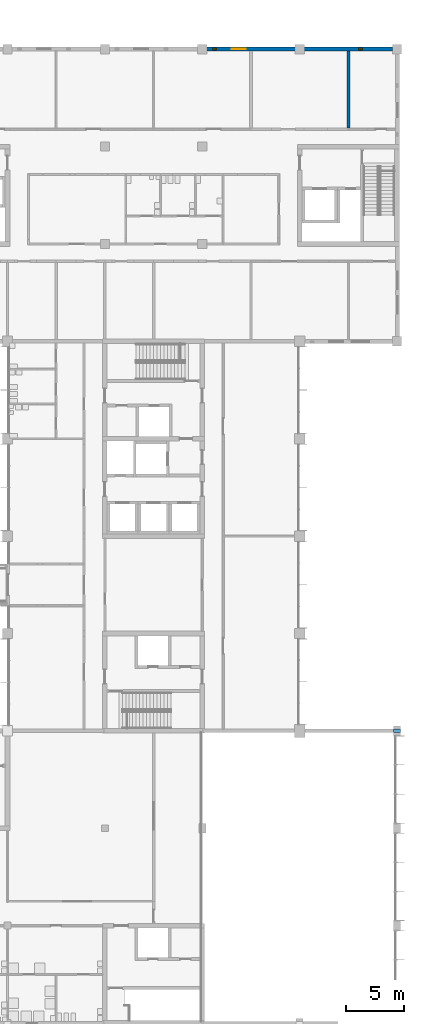
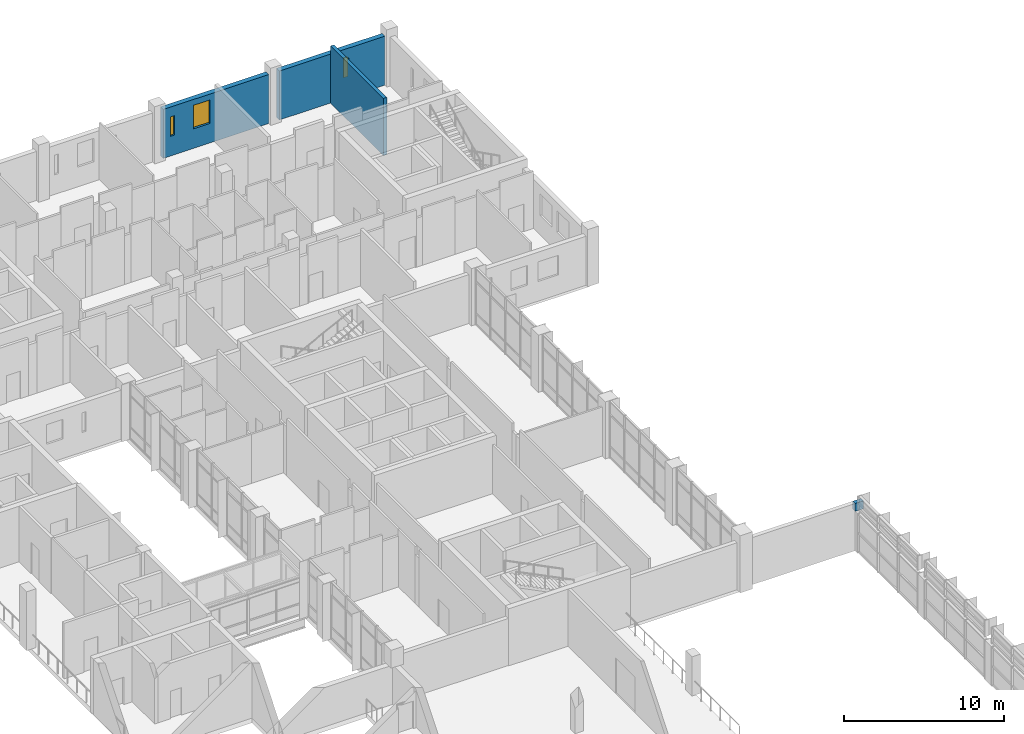
# One storey, part 49 of 70: 4 walls, 3 windows, 3 openings.
"""IFC4 building model written with IfcOpenShell, lengths in metres."""

from ifc_helpers import new_model, si_unit, direction, frame, frame_2d, origin, place, context, subcontext, project, spatial, polyline, rectangle, outline, extrude, material, layer, layer_set, type_object, element, fill, save


model = new_model("IFC4")

# Units and contexts
model_context = context("Model", 3, precision=1e-05, world=origin(), true_north=direction((0.0, 1.0)))
body_context = subcontext(model_context, "Body", "Model", "MODEL_VIEW")
ifc_project = project(units=[si_unit("LENGTHUNIT", "METRE"), si_unit("AREAUNIT", "SQUARE_METRE"), si_unit("VOLUMEUNIT", "CUBIC_METRE"), si_unit("PLANEANGLEUNIT", "RADIAN"), si_unit("MASSUNIT", "GRAM", prefix="KILO")], contexts=[model_context])

# Site, building, storey
site_placement = place(None, origin())
site = spatial("IfcSite", under=ifc_project, at=site_placement, CompositionType="ELEMENT")
building_placement = place(site_placement, origin())
building = spatial("IfcBuilding", under=site, at=building_placement, Name="Hlaing Beacon Police Headquarters", CompositionType="ELEMENT")
storey_placement = place(building_placement, frame((0.0, 0.0, 5.39990234375)))
storey = spatial("IfcBuildingStorey", under=building, at=storey_placement, Name="L01", CompositionType="ELEMENT", Elevation=5.39990234375)

# Walls
ifc_material_1 = material(Name="Concrete blockwork 7.5 N/mm2", Category="masonry")
ifc_layer_1 = layer(ifc_material_1, 0.25)
ifc_layer_set_1 = layer_set([ifc_layer_1], Name="Concrete blockwork 7.5 N/mm2")
wall_type_1 = type_object("IfcWallType", Name="Plant room wall EI 120 250", PredefinedType="PARTITIONING", material=ifc_layer_set_1)
wall_1_placement = place(storey_placement, frame((130.199951171875, 85.625, 0.0), z_axis=(0.0, 0.0, 1.0), x_axis=(0.0, 1.0, 0.0)))
element("IfcWall", 1, at=wall_1_placement, inside=storey, type_object=wall_type_1, Name="Plant room wall EI 120 250", PredefinedType="PARTITIONING", context=body_context, shape_type="SweptSolid", body=[
    extrude(rectangle(XDim=6.625, YDim=0.25, at=frame_2d((3.3125, 0.0))), origin(), (0.0, 0.0, 1.0), 4.3701171875),
])
ifc_material_2 = material(Name="Concrete C40/50 precast ribbed cladding", Category="concrete")
ifc_layer_2 = layer(ifc_material_2, 0.300048828125)
ifc_layer_set_2 = layer_set([ifc_layer_2], Name="Concrete C40/50 precast ribbed cladding")
wall_type_2 = type_object("IfcWallType", Name="Precast ribbed wall 300", PredefinedType="SOLIDWALL", material=ifc_layer_set_2)
wall_2_placement = place(storey_placement, frame((134.699951171875, 33.60009765625, 3.0), z_axis=(0.0, 0.0, 1.0), x_axis=(-1.0, 0.0, 0.0)))
element("IfcWall", 2, at=wall_2_placement, inside=storey, type_object=wall_type_2, Name="Wall over column L01 N006", PredefinedType="SOLIDWALL", context=body_context, shape_type="SweptSolid", body=[
    extrude(outline(polyline([(0.0, 0.0), (0.599853515625, 0.0), (0.60009765625, 0.60009765625), (0.0, 0.60009765625), (0.0, 0.0)])), frame((0.0, 0.14990234375, 0.0), z_axis=(0.0, -1.0, 0.0), x_axis=(1.0, 0.0, 0.0)), (0.0, 0.0, 1.0), 0.300048828125),
])

# Wall, opening, window
ifc_material_3 = material(Name="Concrete C40/50 precast with security mesh", Category="concrete")
ifc_layer_3 = layer(ifc_material_3, 0.35009765625)
ifc_layer_set_3 = layer_set([ifc_layer_3], Name="Concrete C40/50 precast with security mesh")
wall_type_3 = type_object("IfcWallType", Name="Precast security wall 350", PredefinedType="SOLIDWALL", material=ifc_layer_set_3)
wall_3_placement = place(storey_placement, frame((134.02001953125, 92.425048828125, 0.0), z_axis=(0.0, 0.0, 1.0), x_axis=(-1.0, 0.0, 0.0)))
wall_3 = element("IfcWall", 3, at=wall_3_placement, inside=storey, type_object=wall_type_3, Name="External wall L01 N033", PredefinedType="SOLIDWALL", context=body_context, shape_type="SweptSolid", body=[
    extrude(rectangle(XDim=7.64013671875, YDim=0.35009765625, at=frame_2d((3.820068359375, 0.0))), origin(), (0.0, 0.0, 1.0), 3.74609375),
])
opening_1_placement = place(wall_3_placement, frame((2.6201171875, 0.0, 1.5)))
opening_1 = element("IfcOpeningElement", 4, at=opening_1_placement, cuts=wall_3, Name="Opening WN21", PredefinedType="OPENING", context=body_context, shape_type="SweptSolid", body=[
    extrude(rectangle(XDim=0.300048828125, YDim=1.5, at=frame_2d((0.14990234375, 0.75))), frame((0.0, 0.18505859375, 0.0), z_axis=(0.0, -1.0, 0.0), x_axis=(1.0, 0.0, 0.0)), (0.0, 0.0, 1.0), 0.3701171875),
])
ifc_material_4 = material(Name="Aluminium frame with solar control glazing", Category="aluminium")
window_type_1 = type_object("IfcWindowType", Name="Slit window 300x1500 frame 100", PartitioningType="SINGLE_PANEL", PredefinedType="WINDOW", material=ifc_material_4)
window_1_placement = place(opening_1_placement, origin())
window_1 = element("IfcWindow", 5, at=window_1_placement, inside=storey, type_object=window_type_1, Name="Window L01 WT", OverallHeight=1.5, OverallWidth=0.300048828125, PartitioningType="SINGLE_PANEL", PredefinedType="WINDOW", context=body_context, shape_type="SweptSolid", body=[
    extrude(rectangle(XDim=0.300048828125, YDim=1.5, at=frame_2d((0.14990234375, 0.75))), frame((0.0, 0.050048828125, 0.0), z_axis=(0.0, -1.0, 0.0), x_axis=(1.0, 0.0, 0.0)), (0.0, 0.0, 1.0), 0.10009765625),
])
fill(opening_1, window_1)

# Wall, openings, windows
wall_4_placement = place(storey_placement, frame((125.6201171875, 92.425048828125, 0.0), z_axis=(0.0, 0.0, 1.0), x_axis=(-1.0, 0.0, 0.0)))
wall_4 = element("IfcWall", 6, at=wall_4_placement, inside=storey, type_object=wall_type_3, Name="External wall L01 N034", PredefinedType="SOLIDWALL", context=body_context, shape_type="SweptSolid", body=[
    extrude(rectangle(XDim=7.64013671875, YDim=0.35009765625, at=frame_2d((3.820068359375, 0.0))), origin(), (0.0, 0.0, 1.0), 3.74609375),
])
opening_2_placement = place(wall_4_placement, frame((4.27001953125, 0.0, 1.5)))
opening_2 = element("IfcOpeningElement", 7, at=opening_2_placement, cuts=wall_4, Name="Opening WN26", PredefinedType="OPENING", context=body_context, shape_type="SweptSolid", body=[
    extrude(rectangle(XDim=1.199951171875, YDim=1.800048828125, at=frame_2d((0.60009765625, 0.89990234375))), frame((0.0, 0.18505859375, 0.0), z_axis=(0.0, -1.0, 0.0), x_axis=(1.0, 0.0, 0.0)), (0.0, 0.0, 1.0), 0.3701171875),
])
opening_3_placement = place(wall_4_placement, frame((6.820068359375, 0.0, 1.5)))
opening_3 = element("IfcOpeningElement", 8, at=opening_3_placement, cuts=wall_4, Name="Opening WN21", PredefinedType="OPENING", context=body_context, shape_type="SweptSolid", body=[
    extrude(rectangle(XDim=0.300048828125, YDim=1.5, at=frame_2d((0.14990234375, 0.75))), frame((0.0, 0.18505859375, 0.0), z_axis=(0.0, -1.0, 0.0), x_axis=(1.0, 0.0, 0.0)), (0.0, 0.0, 1.0), 0.3701171875),
])
ifc_material_5 = material(Name="Aluminium frame with solar control glazing", Category="aluminium")
window_type_2 = type_object("IfcWindowType", Name="Module window 1200x1800 frame 60", PartitioningType="SINGLE_PANEL", PredefinedType="WINDOW", material=ifc_material_5)
window_2_placement = place(opening_2_placement, origin())
window_2 = element("IfcWindow", 9, at=window_2_placement, inside=storey, type_object=window_type_2, Name="Window L01 WC", OverallHeight=1.800048828125, OverallWidth=1.199951171875, PartitioningType="SINGLE_PANEL", PredefinedType="WINDOW", context=body_context, shape_type="SweptSolid", body=[
    extrude(rectangle(XDim=1.199951171875, YDim=1.800048828125, at=frame_2d((0.60009765625, 0.89990234375))), frame((0.0, 0.030029296875, 0.0), z_axis=(0.0, -1.0, 0.0), x_axis=(1.0, 0.0, 0.0)), (0.0, 0.0, 1.0), 0.06005859375),
])
fill(opening_2, window_2)
window_3_placement = place(opening_3_placement, origin())
window_3 = element("IfcWindow", 10, at=window_3_placement, inside=storey, type_object=window_type_1, Name="Window L01 WT", OverallHeight=1.5, OverallWidth=0.300048828125, PartitioningType="SINGLE_PANEL", PredefinedType="WINDOW", context=body_context, shape_type="SweptSolid", body=[
    extrude(rectangle(XDim=0.300048828125, YDim=1.5, at=frame_2d((0.14990234375, 0.75))), frame((0.0, 0.050048828125, 0.0), z_axis=(0.0, -1.0, 0.0), x_axis=(1.0, 0.0, 0.0)), (0.0, 0.0, 1.0), 0.10009765625),
])
fill(opening_3, window_3)

save(model, "model.ifc")
